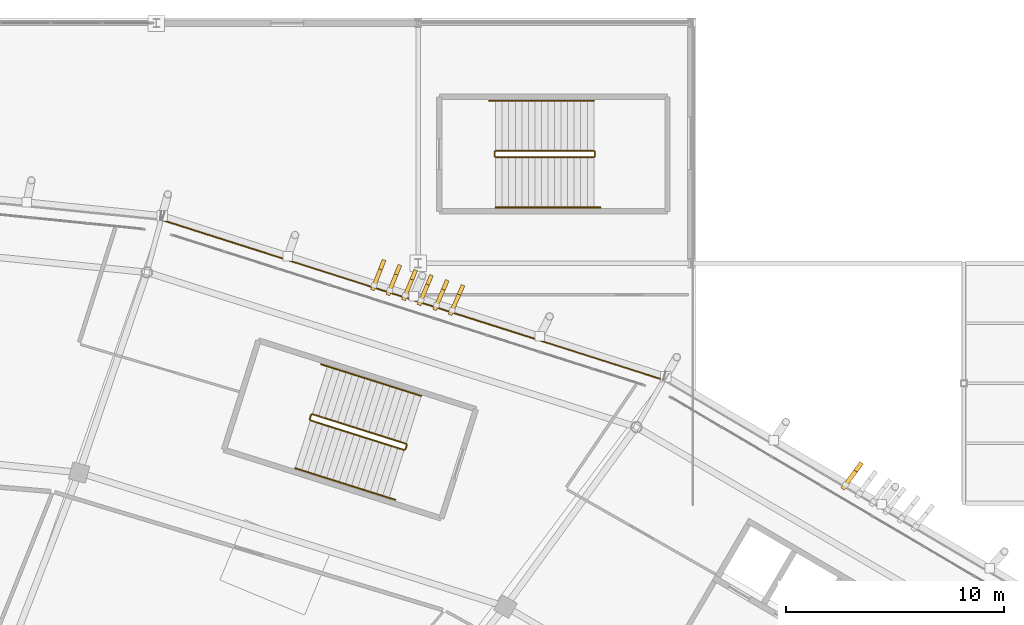
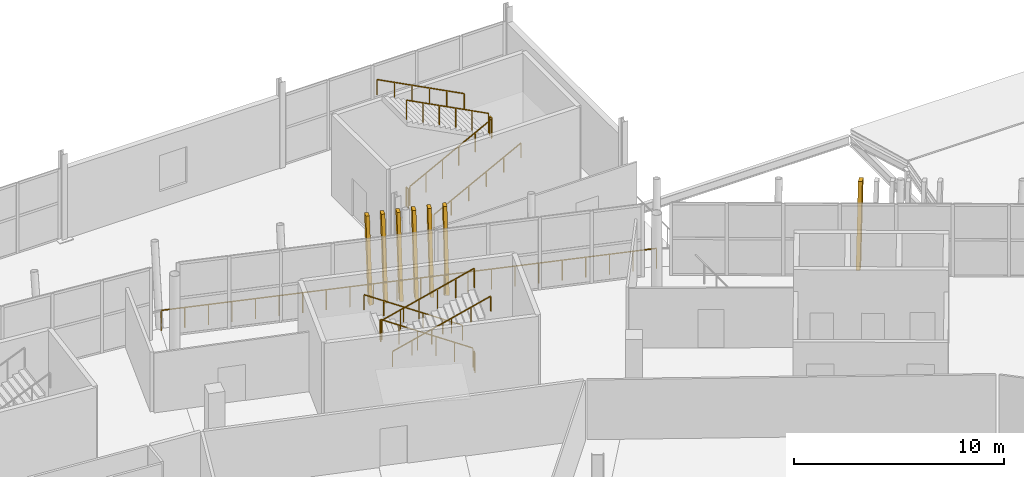
# One storey, part 178 of 179: 13 railings, 7 shading devices.
"""IFC4 building model written with IfcOpenShell, lengths in metres."""

from ifc_helpers import new_model, si_unit, direction, frame, origin, origin_2d, place, context, subcontext, project, spatial, rectangle, extrude, material, material_profile, profile_set, type_object, element, save


model = new_model("IFC4")

# Units and contexts
model_context = context("Model", 3, precision=1e-05, world=origin(), true_north=direction((0.0, 1.0)))
body_context = subcontext(model_context, "Body", "Model", "MODEL_VIEW")
ifc_project = project(units=[si_unit("LENGTHUNIT", "METRE"), si_unit("AREAUNIT", "SQUARE_METRE"), si_unit("VOLUMEUNIT", "CUBIC_METRE"), si_unit("PLANEANGLEUNIT", "RADIAN"), si_unit("MASSUNIT", "GRAM", prefix="KILO")], contexts=[model_context])

# Site, building, storey
site_placement = place(None, origin())
site = spatial("IfcSite", under=ifc_project, at=site_placement, CompositionType="ELEMENT")
building_placement = place(site_placement, origin())
building = spatial("IfcBuilding", under=site, at=building_placement, Name="Zlatoyarsky Gate Stadium", CompositionType="ELEMENT")
storey_placement = place(building_placement, frame((0.0, 0.0, 10.60009765625)))
storey = spatial("IfcBuildingStorey", under=building, at=storey_placement, Name="L02", CompositionType="ELEMENT", Elevation=10.60009765625)

# Railings
ifc_material_1 = material(Name="Powder-coated steel tubular guardrail", Category="steel")
railing_type_1 = type_object("IfcRailingType", Name="CONCOURSE SLAB EDGE GUARDRAIL 1200", PredefinedType="GUARDRAIL", material=ifc_material_1)
railing_1_placement = place(storey_placement, frame((158.748046875, 143.6494140625, 0.0)))
element("IfcRailing", 1, at=railing_1_placement, inside=storey, type_object=railing_type_1, Name="L02 outer slab edge guardrail 04", PredefinedType="GUARDRAIL", context=body_context, shape_type="SweptSolid", body=[
    extrude(rectangle(XDim=0.048095703125, YDim=0.048095703125, at=origin_2d()), frame((0.0, 0.0, 1.17578125), z_axis=(-0.952758246059, 0.303729689966, 0.0), x_axis=(-0.303729689966, -0.952758246059, 0.0)), (0.0, 0.0, 1.0), 24.173828125),
    extrude(rectangle(XDim=0.0419921875, YDim=0.0419921875, at=origin_2d()), origin(), (0.0, 0.0, 1.0), 1.15185546875),
    extrude(rectangle(XDim=0.0419921875, YDim=0.0419921875, at=origin_2d()), frame((-1.0966796875, 0.349609375, 0.0)), (0.0, 0.0, 1.0), 1.15185546875),
    extrude(rectangle(XDim=0.0419921875, YDim=0.0419921875, at=origin_2d()), frame((-2.193603515625, 0.69921875, 0.0)), (0.0, 0.0, 1.0), 1.15185546875),
    extrude(rectangle(XDim=0.0419921875, YDim=0.0419921875, at=origin_2d()), frame((-3.290283203125, 1.048828125, 0.0)), (0.0, 0.0, 1.0), 1.15185546875),
    extrude(rectangle(XDim=0.0419921875, YDim=0.0419921875, at=origin_2d()), frame((-4.386962890625, 1.3984375, 0.0)), (0.0, 0.0, 1.0), 1.15185546875),
    extrude(rectangle(XDim=0.0419921875, YDim=0.0419921875, at=origin_2d()), frame((-5.483642578125, 1.748046875, 0.0)), (0.0, 0.0, 1.0), 1.15185546875),
    extrude(rectangle(XDim=0.0419921875, YDim=0.0419921875, at=origin_2d()), frame((-6.58056640625, 2.097900390625, 0.0)), (0.0, 0.0, 1.0), 1.15185546875),
    extrude(rectangle(XDim=0.0419921875, YDim=0.0419921875, at=origin_2d()), frame((-7.67724609375, 2.447509765625, 0.0)), (0.0, 0.0, 1.0), 1.15185546875),
    extrude(rectangle(XDim=0.0419921875, YDim=0.0419921875, at=origin_2d()), frame((-8.77392578125, 2.797119140625, 0.0)), (0.0, 0.0, 1.0), 1.15185546875),
    extrude(rectangle(XDim=0.0419921875, YDim=0.0419921875, at=origin_2d()), frame((-9.870849609375, 3.146728515625, 0.0)), (0.0, 0.0, 1.0), 1.15185546875),
    extrude(rectangle(XDim=0.0419921875, YDim=0.0419921875, at=origin_2d()), frame((-10.967529296875, 3.496337890625, 0.0)), (0.0, 0.0, 1.0), 1.15185546875),
    extrude(rectangle(XDim=0.0419921875, YDim=0.0419921875, at=origin_2d()), frame((-12.064208984375, 3.845947265625, 0.0)), (0.0, 0.0, 1.0), 1.15185546875),
    extrude(rectangle(XDim=0.0419921875, YDim=0.0419921875, at=origin_2d()), frame((-13.160888671875, 4.195556640625, 0.0)), (0.0, 0.0, 1.0), 1.15185546875),
    extrude(rectangle(XDim=0.0419921875, YDim=0.0419921875, at=origin_2d()), frame((-14.2578125, 4.545166015625, 0.0)), (0.0, 0.0, 1.0), 1.15185546875),
    extrude(rectangle(XDim=0.0419921875, YDim=0.0419921875, at=origin_2d()), frame((-15.3544921875, 4.894775390625, 0.0)), (0.0, 0.0, 1.0), 1.15185546875),
    extrude(rectangle(XDim=0.0419921875, YDim=0.0419921875, at=origin_2d()), frame((-16.451171875, 5.244384765625, 0.0)), (0.0, 0.0, 1.0), 1.15185546875),
    extrude(rectangle(XDim=0.0419921875, YDim=0.0419921875, at=origin_2d()), frame((-17.548095703125, 5.59423828125, 0.0)), (0.0, 0.0, 1.0), 1.15185546875),
    extrude(rectangle(XDim=0.0419921875, YDim=0.0419921875, at=origin_2d()), frame((-18.644775390625, 5.94384765625, 0.0)), (0.0, 0.0, 1.0), 1.15185546875),
    extrude(rectangle(XDim=0.0419921875, YDim=0.0419921875, at=origin_2d()), frame((-19.741455078125, 6.29345703125, 0.0)), (0.0, 0.0, 1.0), 1.15185546875),
    extrude(rectangle(XDim=0.0419921875, YDim=0.0419921875, at=origin_2d()), frame((-20.838134765625, 6.64306640625, 0.0)), (0.0, 0.0, 1.0), 1.15185546875),
    extrude(rectangle(XDim=0.0419921875, YDim=0.0419921875, at=origin_2d()), frame((-21.93505859375, 6.99267578125, 0.0)), (0.0, 0.0, 1.0), 1.15185546875),
    extrude(rectangle(XDim=0.0419921875, YDim=0.0419921875, at=origin_2d()), frame((-23.03173828125, 7.34228515625, 0.0)), (0.0, 0.0, 1.0), 1.15185546875),
])
ifc_material_2 = material(Name="Powder-coated steel stair guardrail", Category="steel")
railing_type_2 = type_object("IfcRailingType", Name="PAINTED STEEL STAIR WELL GUARDRAIL 1150", PredefinedType="GUARDRAIL", material=ifc_material_2)
railing_2_placement = place(storey_placement, frame((146.94482421875, 140.7236328125, 0.15625)))
element("IfcRailing", 2, at=railing_2_placement, inside=storey, type_object=railing_type_2, Name="ST-03 L02 stair guard 1", PredefinedType="GUARDRAIL", context=body_context, shape_type="SweptSolid", body=[
    extrude(rectangle(XDim=0.048095703125, YDim=0.048095703125, at=origin_2d()), frame((0.0, 0.0, 1.1259765625), z_axis=(-0.845641323457, 0.267396656109, 0.461941317013), x_axis=(-0.301492268635, -0.953468621378, 0.0)), (0.0, 0.0, 1.0), 5.07373046875),
    extrude(rectangle(XDim=0.0419921875, YDim=0.0419921875, at=origin_2d()), origin(), (0.0, 0.0, 1.0), 1.101806640625),
    extrude(rectangle(XDim=0.0419921875, YDim=0.0419921875, at=origin_2d()), frame((-0.858154296875, 0.271240234375, 0.46875)), (0.0, 0.0, 1.0), 1.101806640625),
    extrude(rectangle(XDim=0.0419921875, YDim=0.0419921875, at=origin_2d()), frame((-1.71630859375, 0.542724609375, 0.9375)), (0.0, 0.0, 1.0), 1.101806640625),
    extrude(rectangle(XDim=0.0419921875, YDim=0.0419921875, at=origin_2d()), frame((-2.57421875, 0.81396484375, 1.40625)), (0.0, 0.0, 1.0), 1.101806640625),
    extrude(rectangle(XDim=0.0419921875, YDim=0.0419921875, at=origin_2d()), frame((-3.432373046875, 1.08544921875, 1.875)), (0.0, 0.0, 1.0), 1.101806640625),
    extrude(rectangle(XDim=0.0419921875, YDim=0.0419921875, at=origin_2d()), frame((-4.29052734375, 1.356689453125, 2.34375)), (0.0, 0.0, 1.0), 1.101806640625),
])
railing_3_placement = place(storey_placement, frame((142.591552734375, 142.0478515625, 2.5)))
element("IfcRailing", 3, at=railing_3_placement, inside=storey, type_object=railing_type_2, Name="ST-03 L02 stair guard 2", PredefinedType="GUARDRAIL", context=body_context, shape_type="SweptSolid", body=[
    extrude(rectangle(XDim=0.048095703125, YDim=0.048095703125, at=origin_2d()), frame((0.0, 0.0, 1.1259765625), z_axis=(-0.301540327315, -0.953453423615, 0.0), x_axis=(0.953453423615, -0.301540327315, 0.0)), (0.0, 0.0, 1.0), 0.199951171875),
    extrude(rectangle(XDim=0.0419921875, YDim=0.0419921875, at=origin_2d()), origin(), (0.0, 0.0, 1.0), 1.101806640625),
    extrude(rectangle(XDim=0.0419921875, YDim=0.0419921875, at=origin_2d()), frame((-0.060302734375, -0.190673828125, 0.0)), (0.0, 0.0, 1.0), 1.101806640625),
])
railing_4_placement = place(storey_placement, frame((142.563720703125, 141.79443359375, 2.65625)))
element("IfcRailing", 4, at=railing_4_placement, inside=storey, type_object=railing_type_2, Name="ST-03 L02 stair guard 3", PredefinedType="GUARDRAIL", context=body_context, shape_type="SweptSolid", body=[
    extrude(rectangle(XDim=0.048095703125, YDim=0.048095703125, at=origin_2d()), frame((0.0, 0.0, 1.1259765625), z_axis=(0.845630441965, -0.267441333586, 0.461935372873), x_axis=(0.301541590324, 0.953453024173, 0.0)), (0.0, 0.0, 1.0), 5.07373046875),
    extrude(rectangle(XDim=0.0419921875, YDim=0.0419921875, at=origin_2d()), origin(), (0.0, 0.0, 1.0), 1.101806640625),
    extrude(rectangle(XDim=0.0419921875, YDim=0.0419921875, at=origin_2d()), frame((0.858154296875, -0.271484375, 0.46875)), (0.0, 0.0, 1.0), 1.101806640625),
    extrude(rectangle(XDim=0.0419921875, YDim=0.0419921875, at=origin_2d()), frame((1.71630859375, -0.542724609375, 0.9375)), (0.0, 0.0, 1.0), 1.101806640625),
    extrude(rectangle(XDim=0.0419921875, YDim=0.0419921875, at=origin_2d()), frame((2.57421875, -0.814208984375, 1.40625)), (0.0, 0.0, 1.0), 1.101806640625),
    extrude(rectangle(XDim=0.0419921875, YDim=0.0419921875, at=origin_2d()), frame((3.432373046875, -1.08544921875, 1.875)), (0.0, 0.0, 1.0), 1.101806640625),
    extrude(rectangle(XDim=0.0419921875, YDim=0.0419921875, at=origin_2d()), frame((4.29052734375, -1.35693359375, 2.34375)), (0.0, 0.0, 1.0), 1.101806640625),
])
railing_5_placement = place(storey_placement, frame((146.977294921875, 140.660888671875, 0.0)))
element("IfcRailing", 5, at=railing_5_placement, inside=storey, type_object=railing_type_2, Name="ST-03 L02 stair guard 4", PredefinedType="GUARDRAIL", context=body_context, shape_type="SweptSolid", body=[
    extrude(rectangle(XDim=0.048095703125, YDim=0.048095703125, at=origin_2d()), frame((0.0, 0.0, 1.1259765625), z_axis=(-0.301540327315, -0.953453423615, 0.0), x_axis=(0.953453423615, -0.301540327315, 0.0)), (0.0, 0.0, 1.0), 0.199951171875),
    extrude(rectangle(XDim=0.0419921875, YDim=0.0419921875, at=origin_2d()), origin(), (0.0, 0.0, 1.0), 1.101806640625),
    extrude(rectangle(XDim=0.0419921875, YDim=0.0419921875, at=origin_2d()), frame((-0.060302734375, -0.190673828125, 0.0)), (0.0, 0.0, 1.0), 1.101806640625),
])
railing_6_placement = place(storey_placement, frame((151.050048828125, 153.85009765625, 0.15625)))
element("IfcRailing", 6, at=railing_6_placement, inside=storey, type_object=railing_type_2, Name="ST-32 L02 stair guard 1", PredefinedType="GUARDRAIL", context=body_context, shape_type="SweptSolid", body=[
    extrude(rectangle(XDim=0.048095703125, YDim=0.048095703125, at=origin_2d()), frame((0.0, 0.0, 1.1259765625), z_axis=(0.886914084167, 0.0, 0.461934418837), x_axis=(0.0, 1.0, 0.0)), (0.0, 0.0, 1.0), 5.07373046875),
    extrude(rectangle(XDim=0.0419921875, YDim=0.0419921875, at=origin_2d()), origin(), (0.0, 0.0, 1.0), 1.101806640625),
    extrude(rectangle(XDim=0.0419921875, YDim=0.0419921875, at=origin_2d()), frame((0.89990234375, 0.0, 0.46875)), (0.0, 0.0, 1.0), 1.101806640625),
    extrude(rectangle(XDim=0.0419921875, YDim=0.0419921875, at=origin_2d()), frame((1.800048828125, 0.0, 0.9375)), (0.0, 0.0, 1.0), 1.101806640625),
    extrude(rectangle(XDim=0.0419921875, YDim=0.0419921875, at=origin_2d()), frame((2.699951171875, 0.0, 1.40625)), (0.0, 0.0, 1.0), 1.101806640625),
    extrude(rectangle(XDim=0.0419921875, YDim=0.0419921875, at=origin_2d()), frame((3.60009765625, 0.0, 1.875)), (0.0, 0.0, 1.0), 1.101806640625),
    extrude(rectangle(XDim=0.0419921875, YDim=0.0419921875, at=origin_2d()), frame((4.5, 0.0, 2.34375)), (0.0, 0.0, 1.0), 1.101806640625),
])
railing_7_placement = place(storey_placement, frame((155.60009765625, 153.89990234375, 2.5)))
element("IfcRailing", 7, at=railing_7_placement, inside=storey, type_object=railing_type_2, Name="ST-32 L02 stair guard 2", PredefinedType="GUARDRAIL", context=body_context, shape_type="SweptSolid", body=[
    extrude(rectangle(XDim=0.048095703125, YDim=0.048095703125, at=origin_2d()), frame((0.0, 0.0, 1.1259765625), z_axis=(0.0, 1.0, 0.0), x_axis=(-1.0, 0.0, 0.0)), (0.0, 0.0, 1.0), 0.2001953125),
    extrude(rectangle(XDim=0.0419921875, YDim=0.0419921875, at=origin_2d()), origin(), (0.0, 0.0, 1.0), 1.101806640625),
    extrude(rectangle(XDim=0.0419921875, YDim=0.0419921875, at=origin_2d()), frame((0.0, 0.2001953125, 0.0)), (0.0, 0.0, 1.0), 1.101806640625),
])
railing_8_placement = place(storey_placement, frame((155.550048828125, 154.14990234375, 2.65625)))
element("IfcRailing", 8, at=railing_8_placement, inside=storey, type_object=railing_type_2, Name="ST-32 L02 stair guard 3", PredefinedType="GUARDRAIL", context=body_context, shape_type="SweptSolid", body=[
    extrude(rectangle(XDim=0.048095703125, YDim=0.048095703125, at=origin_2d()), frame((0.0, 0.0, 1.1259765625), z_axis=(-0.886914084167, 0.0, 0.461934418837), x_axis=(0.0, -1.0, 0.0)), (0.0, 0.0, 1.0), 5.07373046875),
    extrude(rectangle(XDim=0.0419921875, YDim=0.0419921875, at=origin_2d()), origin(), (0.0, 0.0, 1.0), 1.101806640625),
    extrude(rectangle(XDim=0.0419921875, YDim=0.0419921875, at=origin_2d()), frame((-0.89990234375, 0.0, 0.46875)), (0.0, 0.0, 1.0), 1.101806640625),
    extrude(rectangle(XDim=0.0419921875, YDim=0.0419921875, at=origin_2d()), frame((-1.800048828125, 0.0, 0.9375)), (0.0, 0.0, 1.0), 1.101806640625),
    extrude(rectangle(XDim=0.0419921875, YDim=0.0419921875, at=origin_2d()), frame((-2.699951171875, 0.0, 1.40625)), (0.0, 0.0, 1.0), 1.101806640625),
    extrude(rectangle(XDim=0.0419921875, YDim=0.0419921875, at=origin_2d()), frame((-3.60009765625, 0.0, 1.875)), (0.0, 0.0, 1.0), 1.101806640625),
    extrude(rectangle(XDim=0.0419921875, YDim=0.0419921875, at=origin_2d()), frame((-4.5, 0.0, 2.34375)), (0.0, 0.0, 1.0), 1.101806640625),
])
railing_9_placement = place(storey_placement, frame((151.0, 153.89990234375, 0.0)))
element("IfcRailing", 9, at=railing_9_placement, inside=storey, type_object=railing_type_2, Name="ST-32 L02 stair guard 4", PredefinedType="GUARDRAIL", context=body_context, shape_type="SweptSolid", body=[
    extrude(rectangle(XDim=0.048095703125, YDim=0.048095703125, at=origin_2d()), frame((0.0, 0.0, 1.1259765625), z_axis=(0.0, 1.0, 0.0), x_axis=(-1.0, 0.0, 0.0)), (0.0, 0.0, 1.0), 0.2001953125),
    extrude(rectangle(XDim=0.0419921875, YDim=0.0419921875, at=origin_2d()), origin(), (0.0, 0.0, 1.0), 1.101806640625),
    extrude(rectangle(XDim=0.0419921875, YDim=0.0419921875, at=origin_2d()), frame((0.0, 0.2001953125, 0.0)), (0.0, 0.0, 1.0), 1.101806640625),
])

# Shading devices
ifc_material_3 = material(Name="Precast concrete C40/50 stone-toned architectural rib", Category="masonry")
ifc_material_profile_1 = material_profile(ifc_material_3, rectangle(XDim=0.199951171875, YDim=0.47998046875, at=origin_2d()), Name="RIB 200X480")
ifc_profile_set_1 = profile_set([ifc_material_profile_1], Name="Precast concrete C40/50 stone-toned architectural rib")
shading_device_type_1 = type_object("IfcShadingDeviceType", Name="PRECAST FLUTED GATE LOUVRE BLADE 200X480", PredefinedType="SHUTTER", material=ifc_profile_set_1)
shading_device_1_placement = place(storey_placement, frame((167.0830078125, 138.841796875, -0.010009765625), z_axis=(0.131047917222, 0.178609914754, 0.975153804147), x_axis=(-0.806260068831, 0.591561240624, 0.0)))
element("IfcShadingDevice", 10, at=shading_device_1_placement, inside=storey, type_object=shading_device_type_1, Name="Leaning bowl louvre fin L02-03-6", PredefinedType="SHUTTER", context=body_context, shape_type="SweptSolid", body=[
    extrude(rectangle(XDim=0.199951171875, YDim=0.47998046875, at=origin_2d()), origin(), (0.0, 0.0, 1.0), 4.59423828125),
])
ifc_material_profile_2 = material_profile(ifc_material_3, rectangle(XDim=0.179931640625, YDim=0.47998046875, at=origin_2d()), Name="RIB 180X480")
ifc_profile_set_2 = profile_set([ifc_material_profile_2], Name="Precast concrete C40/50 stone-toned architectural rib")
shading_device_type_2 = type_object("IfcShadingDeviceType", Name="PRECAST RIBBED BOWL LOUVRE FIN 180X480", PredefinedType="JALOUSIE", material=ifc_profile_set_2)
shading_device_2_placement = place(storey_placement, frame((149.056396484375, 146.84228515625, -0.010009765625), z_axis=(0.088906571919, 0.202896169509, 0.975155764926), x_axis=(-0.915925937658, 0.401347326795, 0.0)))
element("IfcShadingDevice", 11, at=shading_device_2_placement, inside=storey, type_object=shading_device_type_2, Name="Leaning bowl louvre fin L02-04-1", PredefinedType="JALOUSIE", context=body_context, shape_type="SweptSolid", body=[
    extrude(rectangle(XDim=0.179931640625, YDim=0.47998046875, at=origin_2d()), origin(), (0.0, 0.0, 1.0), 4.59423828125),
])
for number, where, z_axis, x_axis, name in (
    (12, (148.341796875, 147.0703125, -0.010009765625), (0.087259579866, 0.203587972269, 0.975160347465), (-0.919132619919, 0.393948254217, 0.0), "Leaning bowl louvre fin L02-04-2"),
    (13, (147.627197265625, 147.298095703125, -0.010009765625), (0.085612299124, 0.204279129629, 0.975161818078), (-0.922279926191, 0.386522622553, 0.0), "Leaning bowl louvre fin L02-04-3"),
    (14, (146.91259765625, 147.52587890625, -0.010009765625), (0.083964745462, 0.204969634965, 0.975160176721), (-0.925367231354, 0.37907187595, 0.0), "Leaning bowl louvre fin L02-04-4"),
    (15, (146.1982421875, 147.75390625, -0.010009765625), (0.082264152418, 0.205660381044, 0.975159687895), (-0.928476690885, 0.371390676354, 0.0), "Leaning bowl louvre fin L02-04-5"),
):
    element("IfcShadingDevice", number, at=place(storey_placement, frame(where, z_axis=z_axis, x_axis=x_axis)), inside=storey, type_object=shading_device_type_2, Name=name, PredefinedType="JALOUSIE", context=body_context, shape_type="SweptSolid", body=[
        extrude(rectangle(XDim=0.179931640625, YDim=0.47998046875, at=origin_2d()), origin(), (0.0, 0.0, 1.0), 4.593994140625),
    ])
shading_device_3_placement = place(storey_placement, frame((145.483642578125, 147.981689453125, -0.010009765625), z_axis=(0.080616086407, 0.206349547474, 0.975151737357), x_axis=(-0.931440835092, 0.363892801142, 0.0)))
element("IfcShadingDevice", 16, at=shading_device_3_placement, inside=storey, type_object=shading_device_type_2, Name="Leaning bowl louvre fin L02-04-6", PredefinedType="JALOUSIE", context=body_context, shape_type="SweptSolid", body=[
    extrude(rectangle(XDim=0.179931640625, YDim=0.47998046875, at=origin_2d()), origin(), (0.0, 0.0, 1.0), 4.59423828125),
])

# Railings
ifc_material_4 = material(Name="Brushed stainless steel 316 handrail", Category="steel")
railing_type_3 = type_object("IfcRailingType", Name="STAINLESS STEEL TUBULAR HANDRAIL 900", PredefinedType="HANDRAIL", material=ifc_material_4)
railing_10_placement = place(storey_placement, frame((147.63818359375, 142.91650390625, 0.16015625)))
element("IfcRailing", 17, at=railing_10_placement, inside=storey, type_object=railing_type_3, Name="ST-03 L02 stair handrail 1", PredefinedType="HANDRAIL", context=body_context, shape_type="SweptSolid", body=[
    extrude(rectangle(XDim=0.048095703125, YDim=0.048095703125, at=origin_2d()), frame((0.0, 0.0, 0.8759765625), z_axis=(-0.845641023653, 0.267414914553, 0.461931296395), x_axis=(-0.301511080938, -0.953462672616, 0.0)), (0.0, 0.0, 1.0), 5.412109375),
    extrude(rectangle(XDim=0.0419921875, YDim=0.0419921875, at=origin_2d()), origin(), (0.0, 0.0, 1.0), 0.851806640625),
    extrude(rectangle(XDim=0.0419921875, YDim=0.0419921875, at=origin_2d()), frame((-0.915283203125, 0.28955078125, 0.5)), (0.0, 0.0, 1.0), 0.851806640625),
    extrude(rectangle(XDim=0.0419921875, YDim=0.0419921875, at=origin_2d()), frame((-1.83056640625, 0.578857421875, 1.0)), (0.0, 0.0, 1.0), 0.851806640625),
    extrude(rectangle(XDim=0.0419921875, YDim=0.0419921875, at=origin_2d()), frame((-2.74609375, 0.868408203125, 1.5)), (0.0, 0.0, 1.0), 0.851806640625),
    extrude(rectangle(XDim=0.0419921875, YDim=0.0419921875, at=origin_2d()), frame((-3.661376953125, 1.15771484375, 2.0)), (0.0, 0.0, 1.0), 0.851806640625),
    extrude(rectangle(XDim=0.0419921875, YDim=0.0419921875, at=origin_2d()), frame((-4.57666015625, 1.447265625, 2.5)), (0.0, 0.0, 1.0), 0.851806640625),
])
railing_11_placement = place(storey_placement, frame((141.870361328125, 139.601318359375, 2.66015625)))
element("IfcRailing", 18, at=railing_11_placement, inside=storey, type_object=railing_type_3, Name="ST-03 L02 stair handrail 2", PredefinedType="HANDRAIL", context=body_context, shape_type="SweptSolid", body=[
    extrude(rectangle(XDim=0.048095703125, YDim=0.048095703125, at=origin_2d()), frame((0.0, 0.0, 0.8759765625), z_axis=(0.845628171337, -0.267425116014, 0.461948918351), x_axis=(0.301525703453, 0.953458048452, 0.0)), (0.0, 0.0, 1.0), 5.411865234375),
    extrude(rectangle(XDim=0.0419921875, YDim=0.0419921875, at=origin_2d()), origin(), (0.0, 0.0, 1.0), 0.851806640625),
    extrude(rectangle(XDim=0.0419921875, YDim=0.0419921875, at=origin_2d()), frame((0.915283203125, -0.28955078125, 0.5)), (0.0, 0.0, 1.0), 0.851806640625),
    extrude(rectangle(XDim=0.0419921875, YDim=0.0419921875, at=origin_2d()), frame((1.83056640625, -0.578857421875, 1.0)), (0.0, 0.0, 1.0), 0.851806640625),
    extrude(rectangle(XDim=0.0419921875, YDim=0.0419921875, at=origin_2d()), frame((2.745849609375, -0.868408203125, 1.5)), (0.0, 0.0, 1.0), 0.851806640625),
    extrude(rectangle(XDim=0.0419921875, YDim=0.0419921875, at=origin_2d()), frame((3.6611328125, -1.15771484375, 2.0)), (0.0, 0.0, 1.0), 0.851806640625),
    extrude(rectangle(XDim=0.0419921875, YDim=0.0419921875, at=origin_2d()), frame((4.576416015625, -1.447265625, 2.5)), (0.0, 0.0, 1.0), 0.851806640625),
])
railing_12_placement = place(storey_placement, frame((151.050048828125, 151.550048828125, 0.16015625)))
element("IfcRailing", 19, at=railing_12_placement, inside=storey, type_object=railing_type_3, Name="ST-32 L02 stair handrail 1", PredefinedType="HANDRAIL", context=body_context, shape_type="SweptSolid", body=[
    extrude(rectangle(XDim=0.048095703125, YDim=0.048095703125, at=origin_2d()), frame((0.0, 0.0, 0.8759765625), z_axis=(0.886916009322, 0.0, 0.46193072252), x_axis=(0.0, 1.0, 0.0)), (0.0, 0.0, 1.0), 5.412109375),
    extrude(rectangle(XDim=0.0419921875, YDim=0.0419921875, at=origin_2d()), origin(), (0.0, 0.0, 1.0), 0.851806640625),
    extrude(rectangle(XDim=0.0419921875, YDim=0.0419921875, at=origin_2d()), frame((0.9599609375, 0.0, 0.5)), (0.0, 0.0, 1.0), 0.851806640625),
    extrude(rectangle(XDim=0.0419921875, YDim=0.0419921875, at=origin_2d()), frame((1.919921875, 0.0, 1.0)), (0.0, 0.0, 1.0), 0.851806640625),
    extrude(rectangle(XDim=0.0419921875, YDim=0.0419921875, at=origin_2d()), frame((2.880126953125, 0.0, 1.5)), (0.0, 0.0, 1.0), 0.851806640625),
    extrude(rectangle(XDim=0.0419921875, YDim=0.0419921875, at=origin_2d()), frame((3.840087890625, 0.0, 2.0)), (0.0, 0.0, 1.0), 0.851806640625),
    extrude(rectangle(XDim=0.0419921875, YDim=0.0419921875, at=origin_2d()), frame((4.800048828125, 0.0, 2.5)), (0.0, 0.0, 1.0), 0.851806640625),
])
railing_13_placement = place(storey_placement, frame((155.550048828125, 156.449951171875, 2.66015625)))
element("IfcRailing", 20, at=railing_13_placement, inside=storey, type_object=railing_type_3, Name="ST-32 L02 stair handrail 2", PredefinedType="HANDRAIL", context=body_context, shape_type="SweptSolid", body=[
    extrude(rectangle(XDim=0.048095703125, YDim=0.048095703125, at=origin_2d()), frame((0.0, 0.0, 0.8759765625), z_axis=(-0.886916009322, 0.0, 0.46193072252), x_axis=(0.0, -1.0, 0.0)), (0.0, 0.0, 1.0), 5.412109375),
    extrude(rectangle(XDim=0.0419921875, YDim=0.0419921875, at=origin_2d()), origin(), (0.0, 0.0, 1.0), 0.851806640625),
    extrude(rectangle(XDim=0.0419921875, YDim=0.0419921875, at=origin_2d()), frame((-0.9599609375, 0.0, 0.5)), (0.0, 0.0, 1.0), 0.851806640625),
    extrude(rectangle(XDim=0.0419921875, YDim=0.0419921875, at=origin_2d()), frame((-1.919921875, 0.0, 1.0)), (0.0, 0.0, 1.0), 0.851806640625),
    extrude(rectangle(XDim=0.0419921875, YDim=0.0419921875, at=origin_2d()), frame((-2.880126953125, 0.0, 1.5)), (0.0, 0.0, 1.0), 0.851806640625),
    extrude(rectangle(XDim=0.0419921875, YDim=0.0419921875, at=origin_2d()), frame((-3.840087890625, 0.0, 2.0)), (0.0, 0.0, 1.0), 0.851806640625),
    extrude(rectangle(XDim=0.0419921875, YDim=0.0419921875, at=origin_2d()), frame((-4.800048828125, 0.0, 2.5)), (0.0, 0.0, 1.0), 0.851806640625),
])

save(model, "model.ifc")
